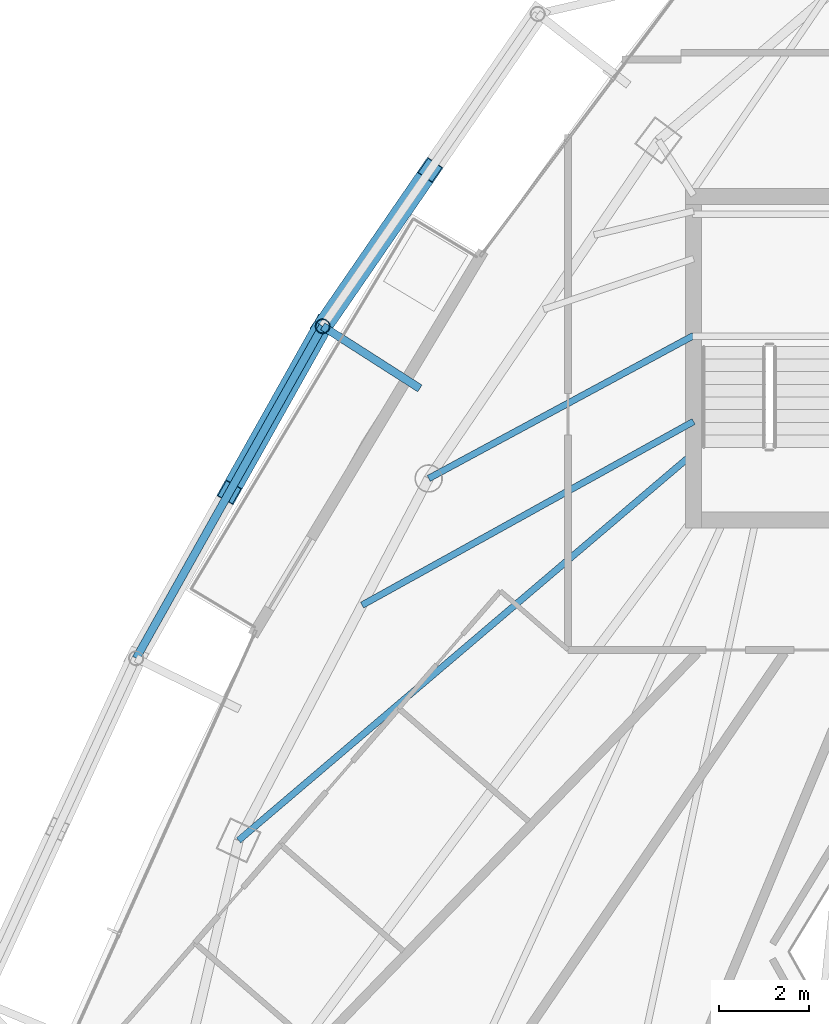
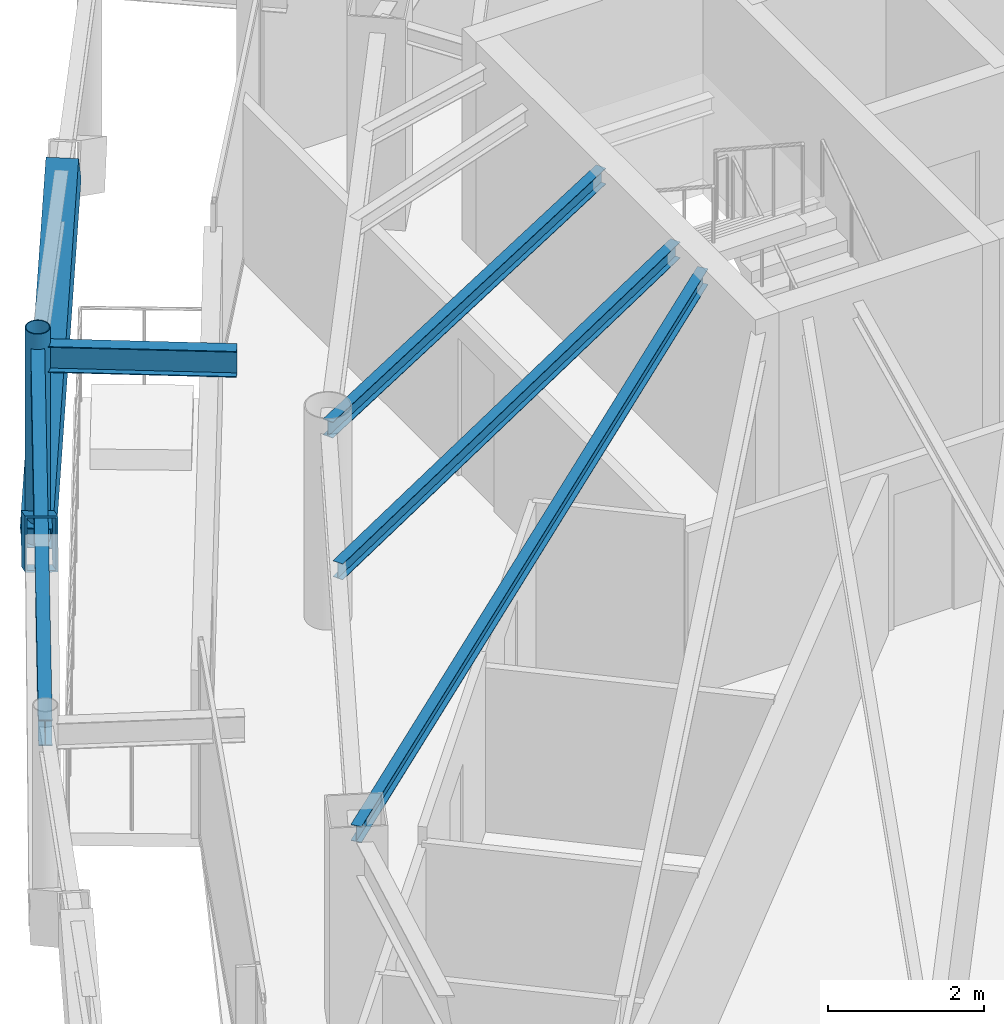
# One storey, part 11 of 30: 5 beams, 3 members.
"""IFC4 building model written with IfcOpenShell, lengths in metres."""

from ifc_helpers import new_model, si_unit, direction, frame, origin, origin_2d, place, context, subcontext, project, spatial, hollow_rectangle, hollow_circle, i_section, extrude, material, material_profile, profile_set, type_object, element, save


model = new_model("IFC4")

# Units and contexts
model_context = context("Model", 3, precision=1e-05, world=origin(), true_north=direction((0.0, 1.0)))
body_context = subcontext(model_context, "Body", "Model", "MODEL_VIEW")
ifc_project = project(units=[si_unit("LENGTHUNIT", "METRE"), si_unit("AREAUNIT", "SQUARE_METRE"), si_unit("VOLUMEUNIT", "CUBIC_METRE"), si_unit("PLANEANGLEUNIT", "RADIAN"), si_unit("MASSUNIT", "GRAM", prefix="KILO")], contexts=[model_context])

# Site, building, storey
site_placement = place(None, origin())
site = spatial("IfcSite", under=ifc_project, at=site_placement, CompositionType="ELEMENT")
building_placement = place(site_placement, origin())
building = spatial("IfcBuilding", under=site, at=building_placement, Name="Orvanel Arch Residences", CompositionType="ELEMENT")
storey_placement = place(building_placement, frame((0.0, 0.0, 240.35009765625)))
storey = spatial("IfcBuildingStorey", under=building, at=storey_placement, Name="L68", CompositionType="ELEMENT", Elevation=240.35009765625)

# Beams
ifc_material_1 = material(Name="Structural steel AS/NZS 3679.1 Grade 300 (300 MPa)", Category="steel")
ifc_material_profile_1 = material_profile(ifc_material_1, i_section(OverallWidth=0.14599609375, OverallDepth=0.251953125, WebThickness=0.006103515625, FlangeThickness=0.008544921875, at=origin_2d()), Name="250UB31.4")
ifc_profile_set_1 = profile_set([ifc_material_profile_1], Name="Structural steel AS/NZS 3679.1 Grade 300 (300 MPa)")
beam_type_1 = type_object("IfcBeamType", Name="BJ-250UB", PredefinedType="JOIST", material=ifc_profile_set_1)
beam_1_placement = place(storey_placement, frame((26.425048828125, 30.800048828125, 2.933837890625), z_axis=(-0.880111494021, -0.474767056664, 0.0), x_axis=(0.474767056664, -0.880111494021, 0.0)))
element("IfcBeam", 1, at=beam_1_placement, inside=storey, type_object=beam_type_1, Name="L68 NW Wing Floor Joist", PredefinedType="JOIST", context=body_context, shape_type="SweptSolid", body=[
    extrude(i_section(OverallWidth=0.14599609375, OverallDepth=0.251953125, WebThickness=0.006103515625, FlangeThickness=0.008544921875, at=origin_2d()), origin(), (0.0, 0.0, 1.0), 6.653564453125),
])
beam_2_placement = place(storey_placement, frame((26.425048828125, 28.199951171875, 2.933837890625), z_axis=(-0.761622669031, -0.64802076357, 0.0), x_axis=(0.64802076357, -0.761622669031, 0.0)))
element("IfcBeam", 2, at=beam_2_placement, inside=storey, type_object=beam_type_1, Name="L68 W Wing Floor Joist", PredefinedType="JOIST", context=body_context, shape_type="SweptSolid", body=[
    extrude(i_section(OverallWidth=0.14599609375, OverallDepth=0.251953125, WebThickness=0.006103515625, FlangeThickness=0.008544921875, at=origin_2d()), origin(), (0.0, 0.0, 1.0), 13.2060546875),
])
beam_3_placement = place(storey_placement, frame((26.425048828125, 28.89990234375, 2.933837890625), z_axis=(-0.874754673235, -0.484566054996, 0.0), x_axis=(0.484566054996, -0.874754673235, 0.0)))
element("IfcBeam", 3, at=beam_3_placement, inside=storey, type_object=beam_type_1, Name="L68 CTW Wing Floor Joist", PredefinedType="JOIST", context=body_context, shape_type="SweptSolid", body=[
    extrude(i_section(OverallWidth=0.14599609375, OverallDepth=0.251953125, WebThickness=0.006103515625, FlangeThickness=0.008544921875, at=origin_2d()), origin(), (0.0, 0.0, 1.0), 8.376220703125),
])

# Members
ifc_material_2 = material(Name="Structural steel AS/NZS 3678 Grade 350", Category="steel")
ifc_material_profile_2 = material_profile(ifc_material_2, hollow_rectangle(XDim=0.419921875, YDim=0.719970703125, WallThickness=0.02490234375, at=origin_2d()), Name="RHS720x420x25")
ifc_profile_set_2 = profile_set([ifc_material_profile_2], Name="Structural steel AS/NZS 3678 Grade 350")
member_type_1 = type_object("IfcMemberType", Name="BR-720RHS-EXT", PredefinedType="BRACE", material=ifc_profile_set_2)
member_1_placement = place(storey_placement, frame((18.22607421875, 31.0048828125, 0.0), z_axis=(0.468454381259, 0.68063552723, 0.563281254572), x_axis=(-0.823749449382, 0.566954005756, 0.0)))
element("IfcMember", 4, at=member_1_placement, inside=storey, type_object=member_type_1, Name="L68 Exterior Sky-Garden V-Frame Chevron F1B1.2", PredefinedType="BRACE", context=body_context, shape_type="SweptSolid", body=[
    extrude(hollow_rectangle(XDim=0.419921875, YDim=0.719970703125, WallThickness=0.02490234375, at=origin_2d()), origin(), (0.0, 0.0, 1.0), 5.072021484375),
])
member_2_placement = place(storey_placement, frame((18.22607421875, 31.0048828125, 0.0), z_axis=(-0.405207983159, -0.721329728846, 0.561684887341), x_axis=(0.871854282825, -0.489765361699, 0.0)))
element("IfcMember", 5, at=member_2_placement, inside=storey, type_object=member_type_1, Name="L68 Exterior Sky-Garden V-Frame Chevron F1B2.1", PredefinedType="BRACE", context=body_context, shape_type="SweptSolid", body=[
    extrude(hollow_rectangle(XDim=0.419921875, YDim=0.719970703125, WallThickness=0.02490234375, at=origin_2d()), origin(), (0.0, 0.0, 1.0), 5.08642578125),
])

# Beams
ifc_material_profile_3 = material_profile(ifc_material_1, i_section(OverallWidth=0.177978515625, OverallDepth=0.406005859375, WebThickness=0.0078125, FlangeThickness=0.0126953125, at=origin_2d()), Name="410UB59.7")
ifc_profile_set_3 = profile_set([ifc_material_profile_3], Name="Structural steel AS/NZS 3679.1 Grade 300 (300 MPa)")
beam_type_2 = type_object("IfcBeamType", Name="OB-410UB-EXT", PredefinedType="SPANDREL", material=ifc_profile_set_3)
beam_4_placement = place(storey_placement, frame((20.3740234375, 29.631103515625, 2.85693359375), z_axis=(-0.842433088247, 0.538800976082, 0.0), x_axis=(-0.538800976082, -0.842433088247, 0.0)))
element("IfcBeam", 6, at=beam_4_placement, inside=storey, type_object=beam_type_2, Name="L68 Outer Frame Radial Tie Beam 02", PredefinedType="SPANDREL", context=body_context, shape_type="SweptSolid", body=[
    extrude(i_section(OverallWidth=0.177978515625, OverallDepth=0.406005859375, WebThickness=0.0078125, FlangeThickness=0.0126953125, at=origin_2d()), origin(), (0.0, 0.0, 1.0), 2.5498046875),
])
beam_5_placement = place(storey_placement, frame((18.22607421875, 31.0048828125, 2.85693359375), z_axis=(-0.489853552544, -0.871804735626, 0.0), x_axis=(0.871804735626, -0.489853552544, 0.0)))
element("IfcBeam", 7, at=beam_5_placement, inside=storey, type_object=beam_type_2, Name="L68 Outer Perimeter Floor Ring Beam 02", PredefinedType="SPANDREL", context=body_context, shape_type="SweptSolid", body=[
    extrude(i_section(OverallWidth=0.177978515625, OverallDepth=0.406005859375, WebThickness=0.0078125, FlangeThickness=0.0126953125, at=origin_2d()), origin(), (0.0, 0.0, 1.0), 8.4169921875),
])

# Member
ifc_material_3 = material(Name="Structural steel AS/NZS 1163 C350L0 (Grade 350)", Category="steel")
ifc_material_profile_4 = material_profile(ifc_material_3, hollow_circle(Radius=0.162109375, WallThickness=0.0126953125, at=origin_2d()), Name="CHS324x12.7")
ifc_profile_set_4 = profile_set([ifc_material_profile_4], Name="Structural steel AS/NZS 1163 C350L0 (Grade 350)")
member_type_2 = type_object("IfcMemberType", Name="ST-324CHS-EXT", PredefinedType="STRUT", material=ifc_profile_set_4)
member_3_placement = place(storey_placement, frame((18.22607421875, 31.0048828125, 0.0), z_axis=(0.0, 0.0, 1.0), x_axis=(1.0, 0.0, 0.0)))
element("IfcMember", 8, at=member_3_placement, inside=storey, type_object=member_type_2, Name="L68 Outer Perimeter Frame Post 02", PredefinedType="STRUT", context=body_context, shape_type="SweptSolid", body=[
    extrude(hollow_circle(Radius=0.162109375, WallThickness=0.0126953125, at=origin_2d()), origin(), (0.0, 0.0, 1.0), 3.2998046875),
])

save(model, "model.ifc")
